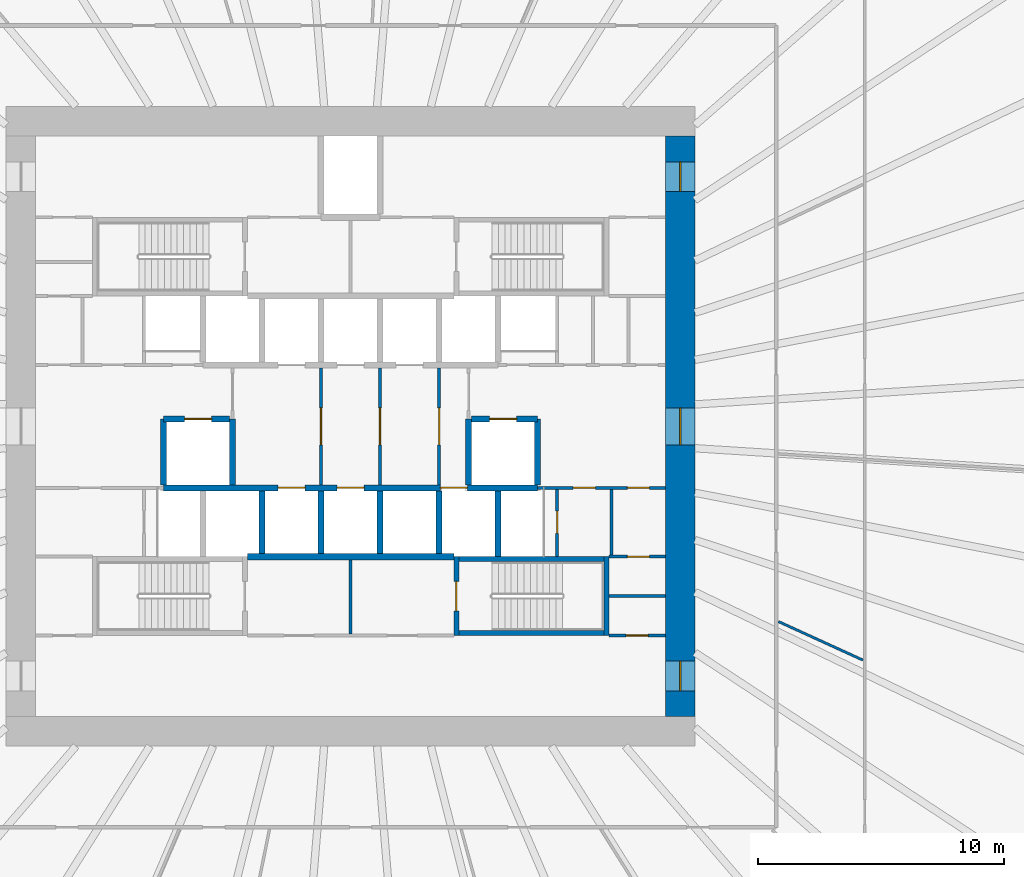
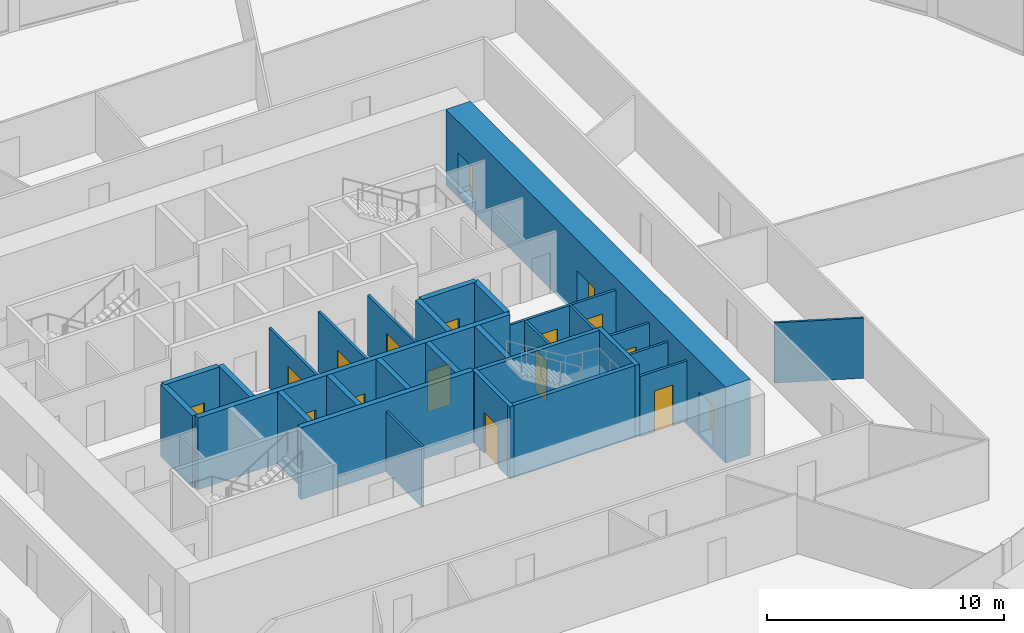
# One storey, part 7 of 10: 29 walls, 17 doors, 17 openings.
"""IFC4 building model written with IfcOpenShell, lengths in metres."""

from ifc_helpers import new_model, si_unit, direction, frame, frame_2d, origin, place, context, subcontext, project, spatial, rectangle, extrude, source, transform, mapped, material, layer, layer_set, type_object, element, fill, save


model = new_model("IFC4")

# Units and contexts
model_context = context("Model", 3, precision=1e-05, world=origin(), true_north=direction((0.0, 1.0)))
body_context = subcontext(model_context, "Body", "Model", "MODEL_VIEW")
ifc_project = project(units=[si_unit("LENGTHUNIT", "METRE"), si_unit("AREAUNIT", "SQUARE_METRE"), si_unit("VOLUMEUNIT", "CUBIC_METRE"), si_unit("PLANEANGLEUNIT", "RADIAN"), si_unit("MASSUNIT", "GRAM", prefix="KILO")], contexts=[model_context])

# Site, building, storey
site_placement = place(None, origin())
site = spatial("IfcSite", under=ifc_project, at=site_placement, CompositionType="ELEMENT")
building_placement = place(site_placement, origin())
building = spatial("IfcBuilding", under=site, at=building_placement, Name="Embergate Tower", CompositionType="ELEMENT")
storey_placement = place(building_placement, frame((0.0, 0.0, 81.5)))
storey = spatial("IfcBuildingStorey", under=building, at=storey_placement, Name="L16", CompositionType="ELEMENT", Elevation=81.5)

# Wall, openings, doors
ifc_material_1 = material(Name="Concrete C80", Category="concrete")
ifc_layer_1 = layer(ifc_material_1, 1.199951171875)
ifc_layer_set_1 = layer_set([ifc_layer_1], Name="Concrete C80")
wall_type_1 = type_object("IfcWallType", Name="Core outer wall C80 1200", PredefinedType="SHEAR", material=ifc_layer_set_1)
shared_shape_1 = source(origin(), body_context, "Body", "SweptSolid", [
    extrude(rectangle(XDim=23.60009765625, YDim=1.199951171875, at=frame_2d((11.800048828125, 0.0))), origin(), (0.0, 0.0, 1.0), 3.89990234375),
])
wall_1_placement = place(storey_placement, frame((13.39990234375, -11.800048828125, -0.199951171875), z_axis=(0.0, 0.0, 1.0), x_axis=(0.0, 1.0, 0.0)))
wall_1 = element("IfcWall", 1, at=wall_1_placement, inside=storey, type_object=wall_type_1, Name="CW-L16-E", PredefinedType="SHEAR", context=body_context, shape_type="MappedRepresentation", body=[
    mapped(shared_shape_1, transform((0.0, 0.0, 0.0))),
])
shared_shape_2 = source(origin(), body_context, "Body", "SweptSolid", [
    extrude(rectangle(XDim=1.199951171875, YDim=2.10009765625, at=frame_2d((0.60009765625, 1.050048828125))), frame((0.0, 0.60986328125, 0.0), z_axis=(0.0, -1.0, 0.0), x_axis=(1.0, 0.0, 0.0)), (0.0, 0.0, 1.0), 1.219970703125),
])
opening_1_placement = place(wall_1_placement, frame((21.35009765625, 0.0, 0.199951171875)))
opening_1 = element("IfcOpeningElement", 2, at=opening_1_placement, cuts=wall_1, Name="Opening IF-1", PredefinedType="OPENING", context=body_context, shape_type="MappedRepresentation", body=[
    mapped(shared_shape_2, transform((0.0, 0.0, 0.0))),
])
opening_2_placement = place(wall_1_placement, frame((1.050048828125, 0.0, 0.199951171875)))
opening_2 = element("IfcOpeningElement", 3, at=opening_2_placement, cuts=wall_1, Name="Opening IF-1", PredefinedType="OPENING", context=body_context, shape_type="MappedRepresentation", body=[
    mapped(shared_shape_2, transform((0.0, 0.0, 0.0))),
])
shared_shape_3 = source(origin(), body_context, "Body", "SweptSolid", [
    extrude(rectangle(XDim=1.5, YDim=2.10009765625, at=frame_2d((0.75, 1.050048828125))), frame((0.0, 0.60986328125, 0.0), z_axis=(0.0, -1.0, 0.0), x_axis=(1.0, 0.0, 0.0)), (0.0, 0.0, 1.0), 1.219970703125),
])
opening_3_placement = place(wall_1_placement, frame((11.050048828125, 0.0, 0.199951171875)))
opening_3 = element("IfcOpeningElement", 4, at=opening_3_placement, cuts=wall_1, Name="Opening IF-3", PredefinedType="OPENING", context=body_context, shape_type="MappedRepresentation", body=[
    mapped(shared_shape_3, transform((0.0, 0.0, 0.0))),
])
ifc_material_2 = material(Name="Escape fire door 1200")
door_type_1 = type_object("IfcDoorType", Name="Escape fire door 1200", OperationType="SINGLE_SWING_LEFT", PredefinedType="DOOR", material=ifc_material_2)
shared_shape_4 = source(origin(), body_context, "Body", "SweptSolid", [
    extrude(rectangle(XDim=1.199951171875, YDim=2.10009765625, at=frame_2d((0.60009765625, 1.050048828125))), frame((0.0, 0.02490234375, 0.0), z_axis=(0.0, -1.0, 0.0), x_axis=(1.0, 0.0, 0.0)), (0.0, 0.0, 1.0), 0.050048828125),
])
door_1_placement = place(opening_1_placement, origin())
door_1 = element("IfcDoor", 5, at=door_1_placement, inside=storey, type_object=door_type_1, Name="IF-1 door", OperationType="SINGLE_SWING_LEFT", OverallHeight=2.10009765625, OverallWidth=1.199951171875, PredefinedType="DOOR", context=body_context, shape_type="MappedRepresentation", body=[
    mapped(shared_shape_4, transform((0.0, 0.0, 0.0))),
])
fill(opening_1, door_1)
door_2_placement = place(opening_2_placement, origin())
door_2 = element("IfcDoor", 6, at=door_2_placement, inside=storey, type_object=door_type_1, Name="IF-1 door", OperationType="SINGLE_SWING_LEFT", OverallHeight=2.10009765625, OverallWidth=1.199951171875, PredefinedType="DOOR", context=body_context, shape_type="MappedRepresentation", body=[
    mapped(shared_shape_4, transform((0.0, 0.0, 0.0))),
])
fill(opening_2, door_2)
ifc_material_3 = material(Name="Lobby fire door pair 1500")
door_type_2 = type_object("IfcDoorType", Name="Lobby fire door pair 1500", OperationType="DOUBLE_DOOR_SINGLE_SWING", PredefinedType="DOOR", material=ifc_material_3)
shared_shape_5 = source(origin(), body_context, "Body", "SweptSolid", [
    extrude(rectangle(XDim=1.5, YDim=2.10009765625, at=frame_2d((0.75, 1.050048828125))), frame((0.0, 0.02490234375, 0.0), z_axis=(0.0, -1.0, 0.0), x_axis=(1.0, 0.0, 0.0)), (0.0, 0.0, 1.0), 0.050048828125),
])
door_3_placement = place(opening_3_placement, origin())
door_3 = element("IfcDoor", 7, at=door_3_placement, inside=storey, type_object=door_type_2, Name="IF-3 door", OperationType="DOUBLE_DOOR_SINGLE_SWING", OverallHeight=2.10009765625, OverallWidth=1.5, PredefinedType="DOOR", context=body_context, shape_type="MappedRepresentation", body=[
    mapped(shared_shape_5, transform((0.0, 0.0, 0.0))),
])
fill(opening_3, door_3)

# Walls
ifc_material_4 = material(Name="Concrete C50", Category="concrete")
ifc_layer_2 = layer(ifc_material_4, 0.25)
ifc_layer_set_2 = layer_set([ifc_layer_2], Name="Concrete C50")
wall_type_2 = type_object("IfcWallType", Name="Hoistway wall reinforced concrete 250", PredefinedType="SHEAR", material=ifc_layer_set_2)
shared_shape_6 = source(origin(), body_context, "Body", "SweptSolid", [
    extrude(rectangle(XDim=2.675048828125, YDim=0.25, at=frame_2d((1.33740234375, 0.0))), origin(), (0.0, 0.0, 1.0), 3.699951171875),
])
for number, where, z_axis, x_axis, name in (
    (8, (6.0, -5.300048828125, 0.0), (0.0, 0.0, 1.0), (0.0, 1.0, 0.0), "HW-1 wall"),
    (9, (-4.800048828125, 0.300048828125, 0.0), (0.0, 0.0, 1.0), (0.0, -1.0, 0.0), "HW-1 wall"),
    (10, (4.800048828125, -2.375, 0.0), (0.0, 0.0, 1.0), (0.0, 1.0, 0.0), "HW-1 wall"),
):
    element("IfcWall", number, at=place(storey_placement, frame(where, z_axis=z_axis, x_axis=x_axis)), inside=storey, type_object=wall_type_2, Name=name, PredefinedType="SHEAR", context=body_context, shape_type="MappedRepresentation", body=[
        mapped(shared_shape_6, transform((0.0, 0.0, 0.0))),
    ])

# Wall, opening, door
wall_2_placement = place(storey_placement, frame((-4.925048828125, 0.300048828125, 0.0), z_axis=(0.0, 0.0, 1.0), x_axis=(-1.0, 0.0, 0.0)))
wall_2 = element("IfcWall", 11, at=wall_2_placement, inside=storey, type_object=wall_type_2, Name="HW-1 wall", PredefinedType="SHEAR", context=body_context, shape_type="MappedRepresentation", body=[
    mapped(shared_shape_6, transform((0.0, 0.0, 0.0))),
])
shared_shape_7 = source(origin(), body_context, "Body", "SweptSolid", [
    extrude(rectangle(XDim=1.10009765625, YDim=2.10009765625, at=frame_2d((0.550048828125, 1.050048828125))), frame((0.0, 0.135009765625, 0.0), z_axis=(0.0, -1.0, 0.0), x_axis=(1.0, 0.0, 0.0)), (0.0, 0.0, 1.0), 0.27001953125),
])
opening_4_placement = place(wall_2_placement, frame((0.72509765625, 0.0, 0.0)))
opening_4 = element("IfcOpeningElement", 12, at=opening_4_placement, cuts=wall_2, Name="Opening LD", PredefinedType="OPENING", context=body_context, shape_type="MappedRepresentation", body=[
    mapped(shared_shape_7, transform((0.0, 0.0, 0.0))),
])
ifc_material_5 = material(Name="Landing door sliding 1100")
door_type_3 = type_object("IfcDoorType", Name="Landing door sliding 1100", OperationType="SLIDING_TO_LEFT", PredefinedType="DOOR", material=ifc_material_5)
shared_shape_8 = source(origin(), body_context, "Body", "SweptSolid", [
    extrude(rectangle(XDim=1.10009765625, YDim=2.10009765625, at=frame_2d((0.550048828125, 1.050048828125))), frame((0.0, 0.02490234375, 0.0), z_axis=(0.0, -1.0, 0.0), x_axis=(1.0, 0.0, 0.0)), (0.0, 0.0, 1.0), 0.050048828125),
])
door_4_placement = place(opening_4_placement, origin())
door_4 = element("IfcDoor", 13, at=door_4_placement, inside=storey, type_object=door_type_3, Name="LD door", OperationType="SLIDING_TO_RIGHT", OverallHeight=2.10009765625, OverallWidth=1.10009765625, PredefinedType="DOOR", context=body_context, shape_type="MappedRepresentation", body=[
    mapped(shared_shape_8, transform((0.0, 0.0, 0.0))),
])
fill(opening_4, door_4)

# Wall
wall_3_placement = place(storey_placement, frame((-7.60009765625, 0.300048828125, 0.0), z_axis=(0.0, 0.0, 1.0), x_axis=(0.0, -1.0, 0.0)))
element("IfcWall", 14, at=wall_3_placement, inside=storey, type_object=wall_type_2, Name="HW-1 wall", PredefinedType="SHEAR", context=body_context, shape_type="MappedRepresentation", body=[
    mapped(shared_shape_6, transform((0.0, 0.0, 0.0))),
])

# Wall, opening, door
wall_4_placement = place(storey_placement, frame((7.60009765625, 0.300048828125, 0.0), z_axis=(0.0, 0.0, 1.0), x_axis=(-1.0, 0.0, 0.0)))
wall_4 = element("IfcWall", 15, at=wall_4_placement, inside=storey, type_object=wall_type_2, Name="HW-1 wall", PredefinedType="SHEAR", context=body_context, shape_type="MappedRepresentation", body=[
    mapped(shared_shape_6, transform((0.0, 0.0, 0.0))),
])
opening_5_placement = place(wall_4_placement, frame((0.85009765625, 0.0, 0.0)))
opening_5 = element("IfcOpeningElement", 16, at=opening_5_placement, cuts=wall_4, Name="Opening LD", PredefinedType="OPENING", context=body_context, shape_type="MappedRepresentation", body=[
    mapped(shared_shape_7, transform((0.0, 0.0, 0.0))),
])
door_5_placement = place(opening_5_placement, origin())
door_5 = element("IfcDoor", 17, at=door_5_placement, inside=storey, type_object=door_type_3, Name="LD door", OperationType="SLIDING_TO_RIGHT", OverallHeight=2.10009765625, OverallWidth=1.10009765625, PredefinedType="DOOR", context=body_context, shape_type="MappedRepresentation", body=[
    mapped(shared_shape_8, transform((0.0, 0.0, 0.0))),
])
fill(opening_5, door_5)

# Walls
wall_5_placement = place(storey_placement, frame((7.60009765625, -2.375, 0.0), z_axis=(0.0, 0.0, 1.0), x_axis=(0.0, 1.0, 0.0)))
element("IfcWall", 18, at=wall_5_placement, inside=storey, type_object=wall_type_2, Name="HW-1 wall", PredefinedType="SHEAR", context=body_context, shape_type="MappedRepresentation", body=[
    mapped(shared_shape_6, transform((0.0, 0.0, 0.0))),
])
ifc_layer_3 = layer(ifc_material_4, 0.199951171875)
ifc_layer_set_3 = layer_set([ifc_layer_3], Name="Concrete C50")
wall_type_3 = type_object("IfcWallType", Name="Stair enclosure wall reinforced concrete 250", PredefinedType="SHEAR", material=ifc_layer_set_3)
shared_shape_9 = source(origin(), body_context, "Body", "SweptSolid", [
    extrude(rectangle(XDim=6.300048828125, YDim=0.199951171875, at=frame_2d((3.14990234375, 0.0))), origin(), (0.0, 0.0, 1.0), 3.699951171875),
])
for number, where, z_axis, x_axis, name in (
    (19, (4.199951171875, -5.39990234375, 0.0), (0.0, 0.0, 1.0), (1.0, 0.0, 0.0), "SE-1 wall"),
    (20, (4.199951171875, -8.39990234375, 0.0), (0.0, 0.0, 1.0), (1.0, 0.0, 0.0), "SE-1 wall"),
):
    element("IfcWall", number, at=place(storey_placement, frame(where, z_axis=z_axis, x_axis=x_axis)), inside=storey, type_object=wall_type_3, Name=name, PredefinedType="SHEAR", context=body_context, shape_type="MappedRepresentation", body=[
        mapped(shared_shape_9, transform((0.0, 0.0, 0.0))),
    ])

# Wall, opening, door
ifc_material_6 = material(Name="Core partition blockwork 120")
ifc_layer_4 = layer(ifc_material_6, 0.1201171875)
ifc_layer_set_4 = layer_set([ifc_layer_4], Name="Core partition blockwork 120")
wall_type_4 = type_object("IfcWallType", Name="Core partition blockwork 120", PredefinedType="PARTITIONING", material=ifc_layer_set_4)
shared_shape_10 = source(origin(), body_context, "Body", "SweptSolid", [
    extrude(rectangle(XDim=2.739990234375, YDim=0.1201171875, at=frame_2d((1.3701171875, 0.0))), origin(), (0.0, 0.0, 1.0), 3.10009765625),
])
wall_6_placement = place(storey_placement, frame((8.39990234375, -5.300048828125, 0.0), z_axis=(0.0, 0.0, 1.0), x_axis=(0.0, 1.0, 0.0)))
wall_6 = element("IfcWall", 21, at=wall_6_placement, inside=storey, type_object=wall_type_4, Name="IP-3 wall", PredefinedType="PARTITIONING", context=body_context, shape_type="MappedRepresentation", body=[
    mapped(shared_shape_10, transform((0.0, 0.0, 0.0))),
])
shared_shape_11 = source(origin(), body_context, "Body", "SweptSolid", [
    extrude(rectangle(XDim=0.89990234375, YDim=2.10009765625, at=frame_2d((0.449951171875, 1.050048828125))), frame((0.0, 0.070068359375, 0.0), z_axis=(0.0, -1.0, 0.0), x_axis=(1.0, 0.0, 0.0)), (0.0, 0.0, 1.0), 0.14013671875),
])
opening_6_placement = place(wall_6_placement, frame((0.949951171875, 0.0, 0.0)))
opening_6 = element("IfcOpeningElement", 22, at=opening_6_placement, cuts=wall_6, Name="Opening ID-1", PredefinedType="OPENING", context=body_context, shape_type="MappedRepresentation", body=[
    mapped(shared_shape_11, transform((0.0, 0.0, 0.0))),
])
ifc_material_7 = material(Name="Interior door 900")
door_type_4 = type_object("IfcDoorType", Name="Interior door 900", OperationType="SINGLE_SWING_LEFT", PredefinedType="DOOR", material=ifc_material_7)
shared_shape_12 = source(origin(), body_context, "Body", "SweptSolid", [
    extrude(rectangle(XDim=0.89990234375, YDim=2.10009765625, at=frame_2d((0.449951171875, 1.050048828125))), frame((0.0, 0.02490234375, 0.0), z_axis=(0.0, -1.0, 0.0), x_axis=(1.0, 0.0, 0.0)), (0.0, 0.0, 1.0), 0.050048828125),
])
door_6_placement = place(opening_6_placement, origin())
door_6 = element("IfcDoor", 23, at=door_6_placement, inside=storey, type_object=door_type_4, Name="ID-1 door", OperationType="SINGLE_SWING_RIGHT", OverallHeight=2.10009765625, OverallWidth=0.89990234375, PredefinedType="DOOR", context=body_context, shape_type="MappedRepresentation", body=[
    mapped(shared_shape_12, transform((0.0, 0.0, 0.0))),
])
fill(opening_6, door_6)

# Walls
shared_shape_13 = source(origin(), body_context, "Body", "SweptSolid", [
    extrude(rectangle(XDim=2.550048828125, YDim=0.25, at=frame_2d((1.27490234375, 0.0))), origin(), (0.0, 0.0, 1.0), 3.699951171875),
])
for number, where, z_axis, x_axis, name in (
    (24, (-3.60009765625, -5.175048828125, 0.0), (0.0, 0.0, 1.0), (0.0, 1.0, 0.0), "HW-1 wall"),
    (25, (-1.199951171875, -5.175048828125, 0.0), (0.0, 0.0, 1.0), (0.0, 1.0, 0.0), "HW-1 wall"),
    (26, (1.199951171875, -5.175048828125, 0.0), (0.0, 0.0, 1.0), (0.0, 1.0, 0.0), "HW-1 wall"),
    (27, (3.60009765625, -5.175048828125, 0.0), (0.0, 0.0, 1.0), (0.0, 1.0, 0.0), "HW-1 wall"),
):
    element("IfcWall", number, at=place(storey_placement, frame(where, z_axis=z_axis, x_axis=x_axis)), inside=storey, type_object=wall_type_2, Name=name, PredefinedType="SHEAR", context=body_context, shape_type="MappedRepresentation", body=[
        mapped(shared_shape_13, transform((0.0, 0.0, 0.0))),
    ])
shared_shape_14 = source(origin(), body_context, "Body", "SweptSolid", [
    extrude(rectangle(XDim=8.39990234375, YDim=0.25, at=frame_2d((4.199951171875, 0.0))), origin(), (0.0, 0.0, 1.0), 3.699951171875),
])
wall_7_placement = place(storey_placement, frame((-4.199951171875, -5.300048828125, 0.0), z_axis=(0.0, 0.0, 1.0), x_axis=(1.0, 0.0, 0.0)))
element("IfcWall", 28, at=wall_7_placement, inside=storey, type_object=wall_type_2, Name="HW-1 wall", PredefinedType="SHEAR", context=body_context, shape_type="MappedRepresentation", body=[
    mapped(shared_shape_14, transform((0.0, 0.0, 0.0))),
])

# Wall, openings, doors
shared_shape_15 = source(origin(), body_context, "Body", "SweptSolid", [
    extrude(rectangle(XDim=15.2001953125, YDim=0.25, at=frame_2d((7.60009765625, 0.0))), origin(), (0.0, 0.0, 1.0), 3.699951171875),
])
wall_8_placement = place(storey_placement, frame((7.60009765625, -2.5, 0.0), z_axis=(0.0, 0.0, 1.0), x_axis=(-1.0, 0.0, 0.0)))
wall_8 = element("IfcWall", 29, at=wall_8_placement, inside=storey, type_object=wall_type_2, Name="HW-1 wall", PredefinedType="SHEAR", context=body_context, shape_type="MappedRepresentation", body=[
    mapped(shared_shape_15, transform((0.0, 0.0, 0.0))),
])
opening_7_placement = place(wall_8_placement, frame((9.449951171875, 0.0, 0.0)))
opening_7 = element("IfcOpeningElement", 30, at=opening_7_placement, cuts=wall_8, Name="Opening LD", PredefinedType="OPENING", context=body_context, shape_type="MappedRepresentation", body=[
    mapped(shared_shape_7, transform((0.0, 0.0, 0.0))),
])
opening_8_placement = place(wall_8_placement, frame((7.050048828125, 0.0, 0.0)))
opening_8 = element("IfcOpeningElement", 31, at=opening_8_placement, cuts=wall_8, Name="Opening LD", PredefinedType="OPENING", context=body_context, shape_type="MappedRepresentation", body=[
    mapped(shared_shape_7, transform((0.0, 0.0, 0.0))),
])
opening_9_placement = place(wall_8_placement, frame((2.85009765625, 0.0, 0.0)))
opening_9 = element("IfcOpeningElement", 32, at=opening_9_placement, cuts=wall_8, Name="Opening LD", PredefinedType="OPENING", context=body_context, shape_type="MappedRepresentation", body=[
    mapped(shared_shape_7, transform((0.0, 0.0, 0.0))),
])
door_7_placement = place(opening_7_placement, origin())
door_7 = element("IfcDoor", 33, at=door_7_placement, inside=storey, type_object=door_type_3, Name="LD door", OperationType="SLIDING_TO_RIGHT", OverallHeight=2.10009765625, OverallWidth=1.10009765625, PredefinedType="DOOR", context=body_context, shape_type="MappedRepresentation", body=[
    mapped(shared_shape_8, transform((0.0, 0.0, 0.0))),
])
fill(opening_7, door_7)
door_8_placement = place(opening_8_placement, origin())
door_8 = element("IfcDoor", 34, at=door_8_placement, inside=storey, type_object=door_type_3, Name="LD door", OperationType="SLIDING_TO_LEFT", OverallHeight=2.10009765625, OverallWidth=1.10009765625, PredefinedType="DOOR", context=body_context, shape_type="MappedRepresentation", body=[
    mapped(shared_shape_8, transform((0.0, 0.0, 0.0))),
])
fill(opening_8, door_8)
door_9_placement = place(opening_9_placement, origin())
door_9 = element("IfcDoor", 35, at=door_9_placement, inside=storey, type_object=door_type_3, Name="LD door", OperationType="SLIDING_TO_LEFT", OverallHeight=2.10009765625, OverallWidth=1.10009765625, PredefinedType="DOOR", context=body_context, shape_type="MappedRepresentation", body=[
    mapped(shared_shape_8, transform((0.0, 0.0, 0.0))),
])
fill(opening_9, door_9)

shared_shape_16 = source(origin(), body_context, "Body", "SweptSolid", [
    extrude(rectangle(XDim=5.199951171875, YDim=0.1201171875, at=frame_2d((2.60009765625, 0.0))), origin(), (0.0, 0.0, 1.0), 3.10009765625),
])
wall_9_placement = place(storey_placement, frame((12.800048828125, -2.5, 0.0), z_axis=(0.0, 0.0, 1.0), x_axis=(-1.0, 0.0, 0.0)))
wall_9 = element("IfcWall", 36, at=wall_9_placement, inside=storey, type_object=wall_type_4, Name="IP-3 wall", PredefinedType="PARTITIONING", context=body_context, shape_type="MappedRepresentation", body=[
    mapped(shared_shape_16, transform((0.0, 0.0, 0.0))),
])
opening_10_placement = place(wall_9_placement, frame((2.85009765625, 0.0, 0.0)))
opening_10 = element("IfcOpeningElement", 37, at=opening_10_placement, cuts=wall_9, Name="Opening ID-1", PredefinedType="OPENING", context=body_context, shape_type="MappedRepresentation", body=[
    mapped(shared_shape_11, transform((0.0, 0.0, 0.0))),
])
opening_11_placement = place(wall_9_placement, frame((0.64990234375, 0.0, 0.0)))
opening_11 = element("IfcOpeningElement", 38, at=opening_11_placement, cuts=wall_9, Name="Opening ID-1", PredefinedType="OPENING", context=body_context, shape_type="MappedRepresentation", body=[
    mapped(shared_shape_11, transform((0.0, 0.0, 0.0))),
])
door_10_placement = place(opening_10_placement, origin())
door_10 = element("IfcDoor", 39, at=door_10_placement, inside=storey, type_object=door_type_4, Name="ID-1 door", OperationType="SINGLE_SWING_RIGHT", OverallHeight=2.10009765625, OverallWidth=0.89990234375, PredefinedType="DOOR", context=body_context, shape_type="MappedRepresentation", body=[
    mapped(shared_shape_12, transform((0.0, 0.0, 0.0))),
])
fill(opening_10, door_10)
door_11_placement = place(opening_11_placement, origin())
door_11 = element("IfcDoor", 40, at=door_11_placement, inside=storey, type_object=door_type_4, Name="ID-1 door", OperationType="SINGLE_SWING_LEFT", OverallHeight=2.10009765625, OverallWidth=0.89990234375, PredefinedType="DOOR", context=body_context, shape_type="MappedRepresentation", body=[
    mapped(shared_shape_12, transform((0.0, 0.0, 0.0))),
])
fill(opening_11, door_11)

# Wall, opening, door
shared_shape_17 = source(origin(), body_context, "Body", "SweptSolid", [
    extrude(rectangle(XDim=4.75, YDim=0.1201171875, at=frame_2d((2.375, 0.0))), origin(), (0.0, 0.0, 1.0), 3.10009765625),
])
wall_10_placement = place(storey_placement, frame((-1.199951171875, -2.375, 0.0), z_axis=(0.0, 0.0, 1.0), x_axis=(0.0, 1.0, 0.0)))
wall_10 = element("IfcWall", 41, at=wall_10_placement, inside=storey, type_object=wall_type_4, Name="IP-3 wall", PredefinedType="PARTITIONING", context=body_context, shape_type="MappedRepresentation", body=[
    mapped(shared_shape_17, transform((0.0, 0.0, 0.0))),
])
shared_shape_18 = source(origin(), body_context, "Body", "SweptSolid", [
    extrude(rectangle(XDim=1.5, YDim=2.10009765625, at=frame_2d((0.75, 1.050048828125))), frame((0.0, 0.070068359375, 0.0), z_axis=(0.0, -1.0, 0.0), x_axis=(1.0, 0.0, 0.0)), (0.0, 0.0, 1.0), 0.14013671875),
])
opening_12_placement = place(wall_10_placement, frame((1.625, 0.0, 0.0)))
opening_12 = element("IfcOpeningElement", 42, at=opening_12_placement, cuts=wall_10, Name="Opening IF-3", PredefinedType="OPENING", context=body_context, shape_type="MappedRepresentation", body=[
    mapped(shared_shape_18, transform((0.0, 0.0, 0.0))),
])
door_12_placement = place(opening_12_placement, origin())
door_12 = element("IfcDoor", 43, at=door_12_placement, inside=storey, type_object=door_type_2, Name="IF-3 door", OperationType="DOUBLE_DOOR_SINGLE_SWING", OverallHeight=2.10009765625, OverallWidth=1.5, PredefinedType="DOOR", context=body_context, shape_type="MappedRepresentation", body=[
    mapped(shared_shape_5, transform((0.0, 0.0, 0.0))),
])
fill(opening_12, door_12)

wall_11_placement = place(storey_placement, frame((1.199951171875, -2.375, 0.0), z_axis=(0.0, 0.0, 1.0), x_axis=(0.0, 1.0, 0.0)))
wall_11 = element("IfcWall", 44, at=wall_11_placement, inside=storey, type_object=wall_type_4, Name="IP-3 wall", PredefinedType="PARTITIONING", context=body_context, shape_type="MappedRepresentation", body=[
    mapped(shared_shape_17, transform((0.0, 0.0, 0.0))),
])
opening_13_placement = place(wall_11_placement, frame((1.625, 0.0, 0.0)))
opening_13 = element("IfcOpeningElement", 45, at=opening_13_placement, cuts=wall_11, Name="Opening IF-3", PredefinedType="OPENING", context=body_context, shape_type="MappedRepresentation", body=[
    mapped(shared_shape_18, transform((0.0, 0.0, 0.0))),
])
door_13_placement = place(opening_13_placement, origin())
door_13 = element("IfcDoor", 46, at=door_13_placement, inside=storey, type_object=door_type_2, Name="IF-3 door", OperationType="DOUBLE_DOOR_SINGLE_SWING", OverallHeight=2.10009765625, OverallWidth=1.5, PredefinedType="DOOR", context=body_context, shape_type="MappedRepresentation", body=[
    mapped(shared_shape_5, transform((0.0, 0.0, 0.0))),
])
fill(opening_13, door_13)

wall_12_placement = place(storey_placement, frame((3.60009765625, -2.375, 0.0), z_axis=(0.0, 0.0, 1.0), x_axis=(0.0, 1.0, 0.0)))
wall_12 = element("IfcWall", 47, at=wall_12_placement, inside=storey, type_object=wall_type_4, Name="IP-3 wall", PredefinedType="PARTITIONING", context=body_context, shape_type="MappedRepresentation", body=[
    mapped(shared_shape_17, transform((0.0, 0.0, 0.0))),
])
opening_14_placement = place(wall_12_placement, frame((1.625, 0.0, 0.0)))
opening_14 = element("IfcOpeningElement", 48, at=opening_14_placement, cuts=wall_12, Name="Opening IF-3", PredefinedType="OPENING", context=body_context, shape_type="MappedRepresentation", body=[
    mapped(shared_shape_18, transform((0.0, 0.0, 0.0))),
])
door_14_placement = place(opening_14_placement, origin())
door_14 = element("IfcDoor", 49, at=door_14_placement, inside=storey, type_object=door_type_2, Name="IF-3 door", OperationType="DOUBLE_DOOR_SINGLE_SWING", OverallHeight=2.10009765625, OverallWidth=1.5, PredefinedType="DOOR", context=body_context, shape_type="MappedRepresentation", body=[
    mapped(shared_shape_5, transform((0.0, 0.0, 0.0))),
])
fill(opening_14, door_14)

shared_shape_19 = source(origin(), body_context, "Body", "SweptSolid", [
    extrude(rectangle(XDim=3.199951171875, YDim=0.199951171875, at=frame_2d((1.60009765625, 0.0))), origin(), (0.0, 0.0, 1.0), 3.699951171875),
])
wall_13_placement = place(storey_placement, frame((4.300048828125, -5.300048828125, 0.0), z_axis=(0.0, 0.0, 1.0), x_axis=(0.0, -1.0, 0.0)))
wall_13 = element("IfcWall", 50, at=wall_13_placement, inside=storey, type_object=wall_type_3, Name="SE-1 wall", PredefinedType="SHEAR", context=body_context, shape_type="MappedRepresentation", body=[
    mapped(shared_shape_19, transform((0.0, 0.0, 0.0))),
])
shared_shape_20 = source(origin(), body_context, "Body", "SweptSolid", [
    extrude(rectangle(XDim=1.199951171875, YDim=2.10009765625, at=frame_2d((0.60009765625, 1.050048828125))), frame((0.0, 0.10986328125, 0.0), z_axis=(0.0, -1.0, 0.0), x_axis=(1.0, 0.0, 0.0)), (0.0, 0.0, 1.0), 0.219970703125),
])
opening_15_placement = place(wall_13_placement, frame((1.0, 0.0, 0.0)))
opening_15 = element("IfcOpeningElement", 51, at=opening_15_placement, cuts=wall_13, Name="Opening IF-2", PredefinedType="OPENING", context=body_context, shape_type="MappedRepresentation", body=[
    mapped(shared_shape_20, transform((0.0, 0.0, 0.0))),
])
ifc_material_8 = material(Name="Stair enclosure door 1200")
door_type_5 = type_object("IfcDoorType", Name="Stair enclosure door 1200", OperationType="SINGLE_SWING_LEFT", PredefinedType="DOOR", material=ifc_material_8)
door_15_placement = place(opening_15_placement, origin())
door_15 = element("IfcDoor", 52, at=door_15_placement, inside=storey, type_object=door_type_5, Name="IF-2 door", OperationType="SINGLE_SWING_RIGHT", OverallHeight=2.10009765625, OverallWidth=1.199951171875, PredefinedType="DOOR", context=body_context, shape_type="MappedRepresentation", body=[
    mapped(shared_shape_4, transform((0.0, 0.0, 0.0))),
])
fill(opening_15, door_15)

# Walls
wall_14_placement = place(storey_placement, frame((10.39990234375, -8.5, 0.0), z_axis=(0.0, 0.0, 1.0), x_axis=(0.0, 1.0, 0.0)))
element("IfcWall", 53, at=wall_14_placement, inside=storey, type_object=wall_type_3, Name="SE-1 wall", PredefinedType="SHEAR", context=body_context, shape_type="MappedRepresentation", body=[
    mapped(shared_shape_19, transform((0.0, 0.0, 0.0))),
])
shared_shape_21 = source(origin(), body_context, "Body", "SweptSolid", [
    extrude(rectangle(XDim=3.014892578125, YDim=0.1201171875, at=frame_2d((1.50732421875, 0.0))), origin(), (0.0, 0.0, 1.0), 3.10009765625),
])
wall_15_placement = place(storey_placement, frame((0.0, -8.43994140625, 0.0), z_axis=(0.0, 0.0, 1.0), x_axis=(0.0, 1.0, 0.0)))
element("IfcWall", 54, at=wall_15_placement, inside=storey, type_object=wall_type_4, Name="IP-3 wall", PredefinedType="PARTITIONING", context=body_context, shape_type="MappedRepresentation", body=[
    mapped(shared_shape_21, transform((0.0, 0.0, 0.0))),
])

# Wall, opening, door
shared_shape_22 = source(origin(), body_context, "Body", "SweptSolid", [
    extrude(rectangle(XDim=2.300048828125, YDim=0.1201171875, at=frame_2d((1.14990234375, 0.0))), origin(), (0.0, 0.0, 1.0), 3.10009765625),
])
wall_16_placement = place(storey_placement, frame((12.800048828125, -8.5, 0.0), z_axis=(0.0, 0.0, 1.0), x_axis=(-1.0, 0.0, 0.0)))
wall_16 = element("IfcWall", 55, at=wall_16_placement, inside=storey, type_object=wall_type_4, Name="IP-3 wall", PredefinedType="PARTITIONING", context=body_context, shape_type="MappedRepresentation", body=[
    mapped(shared_shape_22, transform((0.0, 0.0, 0.0))),
])
opening_16_placement = place(wall_16_placement, frame((0.699951171875, 0.0, 0.0)))
opening_16 = element("IfcOpeningElement", 56, at=opening_16_placement, cuts=wall_16, Name="Opening ID-1", PredefinedType="OPENING", context=body_context, shape_type="MappedRepresentation", body=[
    mapped(shared_shape_11, transform((0.0, 0.0, 0.0))),
])
door_16_placement = place(opening_16_placement, origin())
door_16 = element("IfcDoor", 57, at=door_16_placement, inside=storey, type_object=door_type_4, Name="ID-1 door", OperationType="SINGLE_SWING_RIGHT", OverallHeight=2.10009765625, OverallWidth=0.89990234375, PredefinedType="DOOR", context=body_context, shape_type="MappedRepresentation", body=[
    mapped(shared_shape_12, transform((0.0, 0.0, 0.0))),
])
fill(opening_16, door_16)

wall_17_placement = place(storey_placement, frame((10.5, -5.300048828125, 0.0), z_axis=(0.0, 0.0, 1.0), x_axis=(1.0, 0.0, 0.0)))
wall_17 = element("IfcWall", 58, at=wall_17_placement, inside=storey, type_object=wall_type_4, Name="IP-3 wall", PredefinedType="PARTITIONING", context=body_context, shape_type="MappedRepresentation", body=[
    mapped(shared_shape_22, transform((0.0, 0.0, 0.0))),
])
opening_17_placement = place(wall_17_placement, frame((0.75, 0.0, 0.0)))
opening_17 = element("IfcOpeningElement", 59, at=opening_17_placement, cuts=wall_17, Name="Opening ID-1", PredefinedType="OPENING", context=body_context, shape_type="MappedRepresentation", body=[
    mapped(shared_shape_11, transform((0.0, 0.0, 0.0))),
])
door_17_placement = place(opening_17_placement, origin())
door_17 = element("IfcDoor", 60, at=door_17_placement, inside=storey, type_object=door_type_4, Name="ID-1 door", OperationType="SINGLE_SWING_LEFT", OverallHeight=2.10009765625, OverallWidth=0.89990234375, PredefinedType="DOOR", context=body_context, shape_type="MappedRepresentation", body=[
    mapped(shared_shape_12, transform((0.0, 0.0, 0.0))),
])
fill(opening_17, door_17)

# Walls
wall_18_placement = place(storey_placement, frame((12.800048828125, -6.89990234375, 0.0), z_axis=(0.0, 0.0, 1.0), x_axis=(-1.0, 0.0, 0.0)))
element("IfcWall", 61, at=wall_18_placement, inside=storey, type_object=wall_type_4, Name="IP-3 wall", PredefinedType="PARTITIONING", context=body_context, shape_type="MappedRepresentation", body=[
    mapped(shared_shape_22, transform((0.0, 0.0, 0.0))),
])
shared_shape_23 = source(origin(), body_context, "Body", "SweptSolid", [
    extrude(rectangle(XDim=2.679931640625, YDim=0.1201171875, at=frame_2d((1.33984375, 0.0))), origin(), (0.0, 0.0, 1.0), 3.10009765625),
])
wall_19_placement = place(storey_placement, frame((10.60009765625, -5.239990234375, 0.0), z_axis=(0.0, 0.0, 1.0), x_axis=(0.0, 1.0, 0.0)))
element("IfcWall", 62, at=wall_19_placement, inside=storey, type_object=wall_type_4, Name="IP-3 wall", PredefinedType="PARTITIONING", context=body_context, shape_type="MappedRepresentation", body=[
    mapped(shared_shape_23, transform((0.0, 0.0, 0.0))),
])
ifc_material_9 = material(Name="Partition dry-lined 100")
ifc_layer_5 = layer(ifc_material_9, 0.10009765625)
ifc_layer_set_5 = layer_set([ifc_layer_5], Name="Partition dry-lined 100")
wall_type_5 = type_object("IfcWallType", Name="Partition dry-lined 100", PredefinedType="PARTITIONING", material=ifc_layer_set_5)
shared_shape_24 = source(origin(), body_context, "Body", "SweptSolid", [
    extrude(rectangle(XDim=3.773681640625, YDim=0.10009765625, at=frame_2d((1.88671875, 0.0))), origin(), (0.0, 0.0, 1.0), 3.10009765625),
])
wall_20_placement = place(storey_placement, frame((17.39599609375, -7.93701171875, 0.0), z_axis=(0.0, 0.0, 1.0), x_axis=(0.909727317153, -0.415206223972, 0.0)))
element("IfcWall", 63, at=wall_20_placement, inside=storey, type_object=wall_type_5, Name="IP-1 wall", PredefinedType="PARTITIONING", context=body_context, shape_type="MappedRepresentation", body=[
    mapped(shared_shape_24, transform((0.0, 0.0, 0.0))),
])

save(model, "model.ifc")
